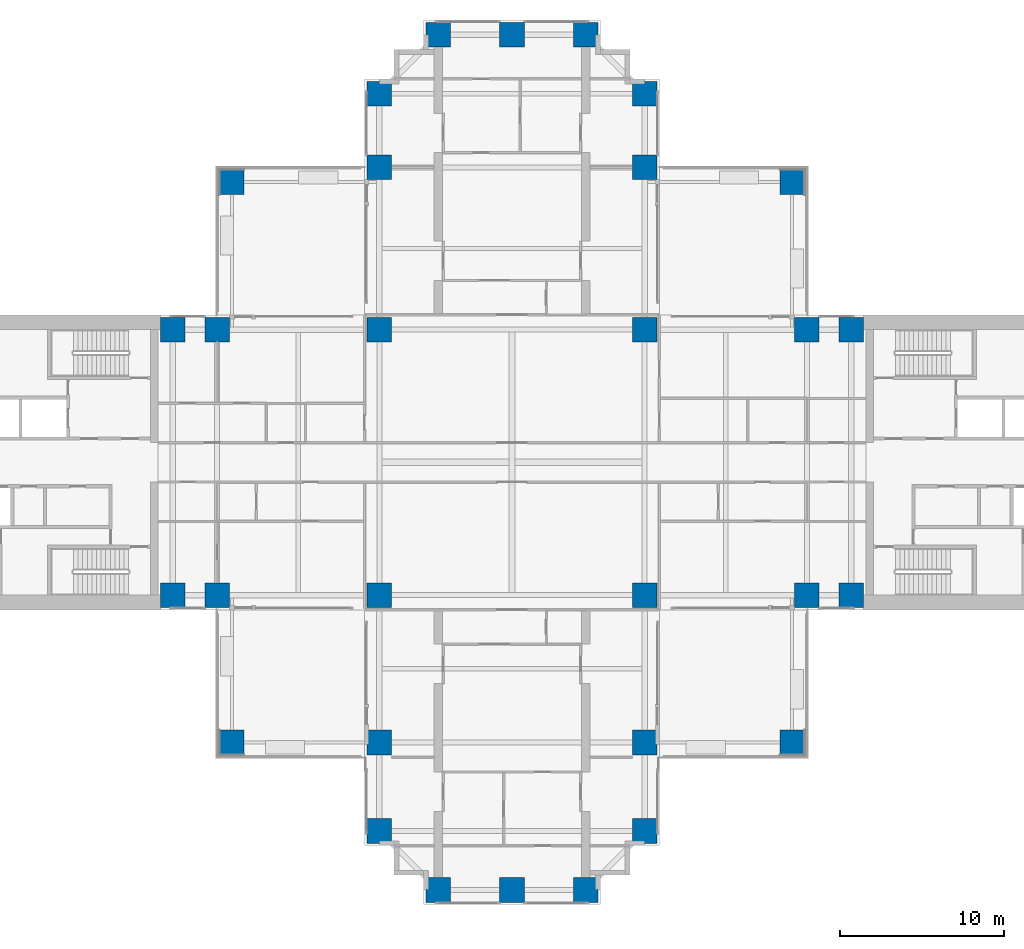
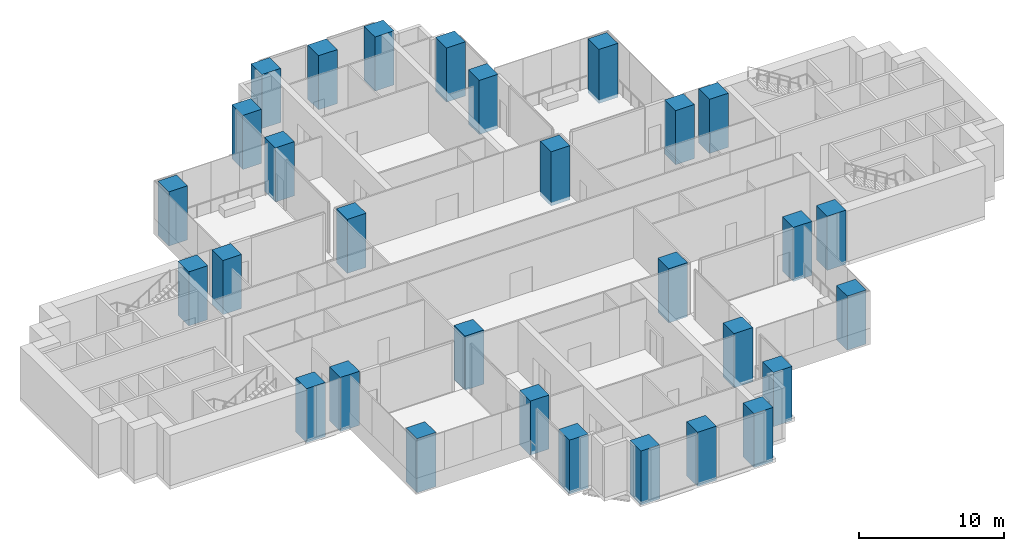
# One storey, part 1 of 15: 30 columns.
"""IFC4 building model written with IfcOpenShell, lengths in metres."""

from ifc_helpers import new_model, si_unit, direction, frame, origin, origin_2d, place, context, subcontext, project, spatial, rectangle, extrude, material, material_profile, profile_set, type_object, element, save


model = new_model("IFC4")

# Units and contexts
model_context = context("Model", 3, precision=1e-05, world=origin(), true_north=direction((0.0, 1.0)))
body_context = subcontext(model_context, "Body", "Model", "MODEL_VIEW")
ifc_project = project(units=[si_unit("LENGTHUNIT", "METRE"), si_unit("AREAUNIT", "SQUARE_METRE"), si_unit("VOLUMEUNIT", "CUBIC_METRE"), si_unit("PLANEANGLEUNIT", "RADIAN"), si_unit("MASSUNIT", "GRAM", prefix="KILO")], contexts=[model_context])

# Site, building, storey
site_placement = place(None, origin())
site = spatial("IfcSite", under=ifc_project, at=site_placement, CompositionType="ELEMENT")
building_placement = place(site_placement, origin())
building = spatial("IfcBuilding", under=site, at=building_placement, Name="Perihelion Cross Residences", CompositionType="ELEMENT")
storey_placement = place(building_placement, frame((0.0, 0.0, 32.0)))
storey = spatial("IfcBuildingStorey", under=building, at=storey_placement, Name="L04", CompositionType="ELEMENT", Elevation=32.0)

# Columns
ifc_material = material(Name="Concrete C80/95", Category="concrete")
ifc_material_profile = material_profile(ifc_material, rectangle(XDim=1.5, YDim=1.5, at=origin_2d()), Name="RC 1500x1500")
ifc_profile_set = profile_set([ifc_material_profile], Name="Concrete C80/95")
column_type = type_object("IfcColumnType", Name="Reinforced concrete column 1500x1500 C80/95", PredefinedType="COLUMN", material=ifc_profile_set)
for number, where, z_axis, x_axis, name in (
    (1, (-20.699951171875, -8.10009765625, -0.300048828125), (0.0, 0.0, 1.0), (1.0, 0.0, 0.0), "Column C017 L04 no. 1"),
    (2, (-20.699951171875, 8.10009765625, -0.300048828125), (0.0, 0.0, 1.0), (1.0, 0.0, 0.0), "Column C010 L04 no. 1"),
    (3, (-18.0, -8.10009765625, -0.300048828125), (0.0, 0.0, 1.0), (1.0, 0.0, 0.0), "Column C018 L04 no. 1"),
    (4, (-18.0, 8.10009765625, -0.300048828125), (0.0, 0.0, 1.0), (1.0, 0.0, 0.0), "Column C011 L04 no. 1"),
    (5, (-8.10009765625, -22.5, -0.300048828125), (0.0, 0.0, 1.0), (1.0, 0.0, 0.0), "Column C040 L04 no. 1"),
    (6, (-8.10009765625, -17.10009765625, -0.300048828125), (0.0, 0.0, 1.0), (1.0, 0.0, 0.0), "Column C031 L04 no. 1"),
    (7, (-8.10009765625, -8.10009765625, -0.300048828125), (0.0, 0.0, 1.0), (1.0, 0.0, 0.0), "Column C019 L04 no. 1"),
    (8, (-8.10009765625, 8.10009765625, -0.300048828125), (0.0, 0.0, 1.0), (1.0, 0.0, 0.0), "Column C012 L04 no. 1"),
    (9, (-8.10009765625, 18.0, -0.300048828125), (0.0, 0.0, 1.0), (1.0, 0.0, 0.0), "Column C006 L04 no. 1"),
    (10, (-8.10009765625, 22.5, -0.300048828125), (0.0, 0.0, 1.0), (1.0, 0.0, 0.0), "Column C004 L04 no. 1"),
    (11, (-4.5, -26.10009765625, -0.300048828125), (0.0, 0.0, 1.0), (1.0, 0.0, 0.0), "Column C042 L04 no. 1"),
    (12, (-4.5, 26.10009765625, -0.300048828125), (0.0, 0.0, 1.0), (1.0, 0.0, 0.0), "Column C001 L04 no. 1"),
    (13, (0.0, -26.10009765625, -0.300048828125), (0.0, 0.0, 1.0), (1.0, 0.0, 0.0), "Column C043 L04 no. 1"),
    (14, (0.0, 26.10009765625, -0.300048828125), (0.0, 0.0, 1.0), (1.0, 0.0, 0.0), "Column C002 L04 no. 1"),
    (15, (4.5, -26.10009765625, -0.300048828125), (0.0, 0.0, 1.0), (1.0, 0.0, 0.0), "Column C044 L04 no. 1"),
    (16, (4.5, 26.10009765625, -0.300048828125), (0.0, 0.0, 1.0), (1.0, 0.0, 0.0), "Column C003 L04 no. 1"),
    (17, (8.10009765625, -22.5, -0.300048828125), (0.0, 0.0, 1.0), (1.0, 0.0, 0.0), "Column C041 L04 no. 1"),
    (18, (8.10009765625, -17.10009765625, -0.300048828125), (0.0, 0.0, 1.0), (1.0, 0.0, 0.0), "Column C035 L04 no. 1"),
    (19, (8.10009765625, -8.10009765625, -0.300048828125), (0.0, 0.0, 1.0), (1.0, 0.0, 0.0), "Column C020 L04 no. 1"),
    (20, (8.10009765625, 8.10009765625, -0.300048828125), (0.0, 0.0, 1.0), (1.0, 0.0, 0.0), "Column C014 L04 no. 1"),
    (21, (8.10009765625, 18.0, -0.300048828125), (0.0, 0.0, 1.0), (1.0, 0.0, 0.0), "Column C007 L04 no. 1"),
    (22, (8.10009765625, 22.5, -0.300048828125), (0.0, 0.0, 1.0), (1.0, 0.0, 0.0), "Column C005 L04 no. 1"),
    (23, (18.0, -8.10009765625, -0.300048828125), (0.0, 0.0, 1.0), (1.0, 0.0, 0.0), "Column C021 L04 no. 1"),
    (24, (18.0, 8.10009765625, -0.300048828125), (0.0, 0.0, 1.0), (1.0, 0.0, 0.0), "Column C015 L04 no. 1"),
    (25, (20.699951171875, -8.10009765625, -0.300048828125), (0.0, 0.0, 1.0), (1.0, 0.0, 0.0), "Column C022 L04 no. 1"),
    (26, (20.699951171875, 8.10009765625, -0.300048828125), (0.0, 0.0, 1.0), (1.0, 0.0, 0.0), "Column C016 L04 no. 1"),
    (27, (17.10009765625, 17.10009765625, -0.300048828125), (0.0, 0.0, 1.0), (1.0, 0.0, 0.0), "Column C009 L04 no. 1"),
    (28, (-17.10009765625, 17.10009765625, -0.300048828125), (0.0, 0.0, 1.0), (1.0, 0.0, 0.0), "Column C008 L04 no. 1"),
    (29, (-17.10009765625, -17.10009765625, -0.300048828125), (0.0, 0.0, 1.0), (1.0, 0.0, 0.0), "Column C030 L04 no. 1"),
    (30, (17.10009765625, -17.10009765625, -0.300048828125), (0.0, 0.0, 1.0), (1.0, 0.0, 0.0), "Column C036 L04 no. 1"),
):
    element("IfcColumn", number, at=place(storey_placement, frame(where, z_axis=z_axis, x_axis=x_axis)), inside=storey, type_object=column_type, Name=name, PredefinedType="COLUMN", context=body_context, shape_type="SweptSolid", body=[
        extrude(rectangle(XDim=1.5, YDim=1.5, at=origin_2d()), origin(), (0.0, 0.0, 1.0), 4.550048828125),
    ])

save(model, "model.ifc")
